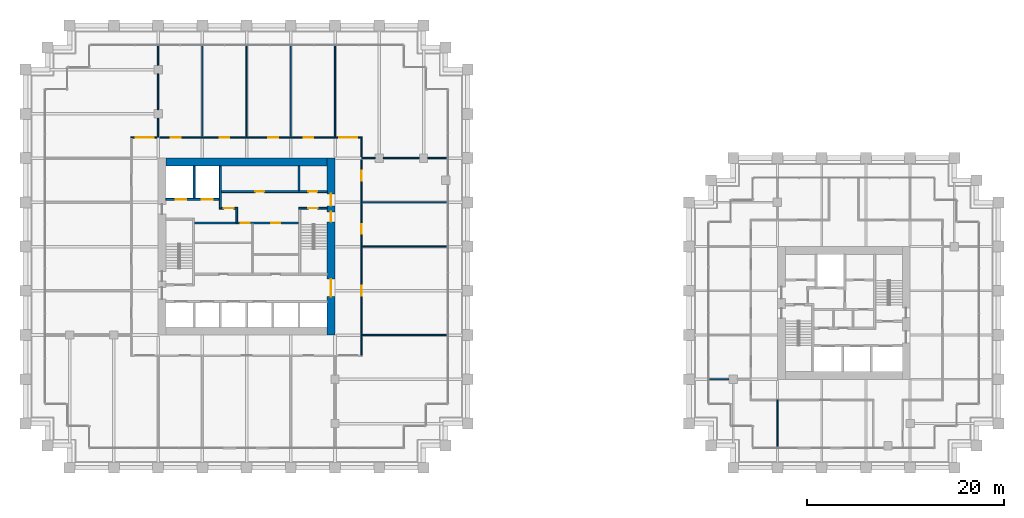
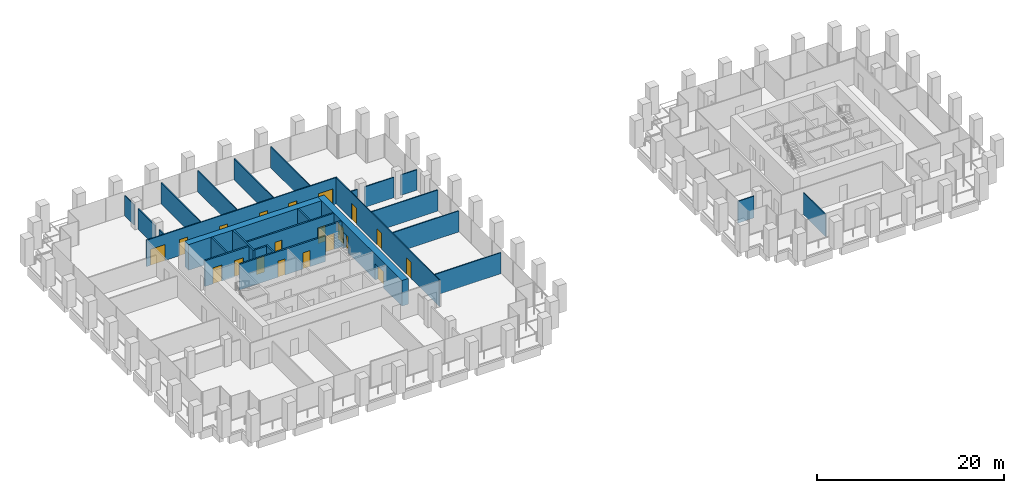
# One storey, part 51 of 56: 28 walls, 20 doors, 20 openings.
"""IFC4 building model written with IfcOpenShell, lengths in metres."""

from ifc_helpers import new_model, si_unit, direction, frame, frame_2d, origin, place, context, subcontext, project, spatial, rectangle, extrude, material, layer, layer_set, type_object, element, fill, save


model = new_model("IFC4")

# Units and contexts
model_context = context("Model", 3, precision=1e-05, world=origin(), true_north=direction((0.0, 1.0)))
body_context = subcontext(model_context, "Body", "Model", "MODEL_VIEW")
ifc_project = project(units=[si_unit("LENGTHUNIT", "METRE"), si_unit("AREAUNIT", "SQUARE_METRE"), si_unit("VOLUMEUNIT", "CUBIC_METRE"), si_unit("PLANEANGLEUNIT", "RADIAN"), si_unit("MASSUNIT", "GRAM", prefix="KILO")], contexts=[model_context])

# Site, building, storey
site_placement = place(None, origin())
site = spatial("IfcSite", under=ifc_project, at=site_placement, CompositionType="ELEMENT")
building_placement = place(site_placement, origin())
building = spatial("IfcBuilding", under=site, at=building_placement, Name="Altepetl Exchange Towers", CompositionType="ELEMENT")
storey_placement = place(building_placement, frame((0.0, 0.0, 54.60009765625)))
storey = spatial("IfcBuildingStorey", under=building, at=storey_placement, Name="L12", CompositionType="ELEMENT", Elevation=54.60009765625)

# Wall, openings, doors
ifc_material_1 = material(Name="Concrete C70/85", Category="concrete")
ifc_layer_1 = layer(ifc_material_1, 0.800048828125)
ifc_layer_set_1 = layer_set([ifc_layer_1], Name="Concrete C70/85")
wall_type_1 = type_object("IfcWallType", Name="Core wall 800 reinforced concrete", PredefinedType="SHEAR", material=ifc_layer_set_1)
wall_1_placement = place(storey_placement, frame((58.10009765625, 40.5, 0.0), z_axis=(0.0, 0.0, 1.0), x_axis=(0.0, 1.0, 0.0)))
wall_1 = element("IfcWall", 1, at=wall_1_placement, inside=storey, type_object=wall_type_1, Name="wall:A:L12:K-coreE", PredefinedType="SHEAR", context=body_context, shape_type="SweptSolid", body=[
    extrude(rectangle(XDim=18.0, YDim=0.800048828125, at=frame_2d((9.0, 0.0))), origin(), (0.0, 0.0, 1.0), 3.349853515625),
])
opening_1_placement = place(wall_1_placement, frame((13.14990234375, 0.0, 0.0)))
opening_1 = element("IfcOpeningElement", 2, at=opening_1_placement, cuts=wall_1, Name="Opening L12.A60", PredefinedType="OPENING", context=body_context, shape_type="SweptSolid", body=[
    extrude(rectangle(XDim=1.199951171875, YDim=2.10009765625, at=frame_2d((0.60009765625, 1.050048828125))), frame((0.0, 0.41015625, 0.0), z_axis=(0.0, -1.0, 0.0), x_axis=(1.0, 0.0, 0.0)), (0.0, 0.0, 1.0), 0.820068359375),
])
opening_2_placement = place(wall_1_placement, frame((3.89990234375, 0.0, 0.0)))
opening_2 = element("IfcOpeningElement", 3, at=opening_2_placement, cuts=wall_1, Name="Opening L12.A61", PredefinedType="OPENING", context=body_context, shape_type="SweptSolid", body=[
    extrude(rectangle(XDim=1.800048828125, YDim=2.10009765625, at=frame_2d((0.89990234375, 1.050048828125))), frame((0.0, 0.41015625, 0.0), z_axis=(0.0, -1.0, 0.0), x_axis=(1.0, 0.0, 0.0)), (0.0, 0.0, 1.0), 0.820068359375),
])
opening_3_placement = place(wall_1_placement, frame((11.52490234375, 0.0, 0.0)))
opening_3 = element("IfcOpeningElement", 4, at=opening_3_placement, cuts=wall_1, Name="Opening L12.A66", PredefinedType="OPENING", context=body_context, shape_type="SweptSolid", body=[
    extrude(rectangle(XDim=1.0, YDim=2.10009765625, at=frame_2d((0.5, 1.050048828125))), frame((0.0, 0.41015625, 0.0), z_axis=(0.0, -1.0, 0.0), x_axis=(1.0, 0.0, 0.0)), (0.0, 0.0, 1.0), 0.820068359375),
])
ifc_material_2 = material(Name="Steel and timber fire door", Category="steel")
door_type_1 = type_object("IfcDoorType", Name="Fire door 1000 x 2100 stair and lobby", OperationType="SINGLE_SWING_LEFT", PredefinedType="DOOR", material=ifc_material_2)
door_1_placement = place(opening_3_placement, origin())
door_1 = element("IfcDoor", 5, at=door_1_placement, inside=storey, type_object=door_type_1, Name="door:A:L12:K-dS2x", OperationType="SINGLE_SWING_RIGHT", OverallHeight=2.10009765625, OverallWidth=1.0, PredefinedType="DOOR", context=body_context, shape_type="SweptSolid", body=[
    extrude(rectangle(XDim=1.0, YDim=2.10009765625, at=frame_2d((0.5, 1.050048828125))), frame((0.0, 0.02490234375, 0.0), z_axis=(0.0, -1.0, 0.0), x_axis=(1.0, 0.0, 0.0)), (0.0, 0.0, 1.0), 0.050048828125),
])
fill(opening_3, door_1)
door_type_2 = type_object("IfcDoorType", Name="Fire door 1200 x 2100 lobby entry", OperationType="SINGLE_SWING_LEFT", PredefinedType="DOOR", material=ifc_material_2)
door_2_placement = place(opening_1_placement, origin())
door_2 = element("IfcDoor", 6, at=door_2_placement, inside=storey, type_object=door_type_2, Name="door:A:L12:K-dLNE", OperationType="SINGLE_SWING_RIGHT", OverallHeight=2.10009765625, OverallWidth=1.199951171875, PredefinedType="DOOR", context=body_context, shape_type="SweptSolid", body=[
    extrude(rectangle(XDim=1.199951171875, YDim=2.10009765625, at=frame_2d((0.60009765625, 1.050048828125))), frame((0.0, 0.02490234375, 0.0), z_axis=(0.0, -1.0, 0.0), x_axis=(1.0, 0.0, 0.0)), (0.0, 0.0, 1.0), 0.050048828125),
])
fill(opening_1, door_2)
door_type_3 = type_object("IfcDoorType", Name="Fire door 1800 x 2100 lobby entry", OperationType="DOUBLE_DOOR_SINGLE_SWING", PredefinedType="DOOR", material=ifc_material_2)
door_3_placement = place(opening_2_placement, origin())
door_3 = element("IfcDoor", 7, at=door_3_placement, inside=storey, type_object=door_type_3, Name="door:A:L12:K-dLSE", OperationType="DOUBLE_DOOR_SINGLE_SWING", OverallHeight=2.10009765625, OverallWidth=1.800048828125, PredefinedType="DOOR", context=body_context, shape_type="SweptSolid", body=[
    extrude(rectangle(XDim=1.800048828125, YDim=2.10009765625, at=frame_2d((0.89990234375, 1.050048828125))), frame((0.0, 0.02490234375, 0.0), z_axis=(0.0, -1.0, 0.0), x_axis=(1.0, 0.0, 0.0)), (0.0, 0.0, 1.0), 0.050048828125),
])
fill(opening_2, door_3)

# Walls
wall_2_placement = place(storey_placement, frame((41.300048828125, 58.10009765625, 0.0)))
element("IfcWall", 8, at=wall_2_placement, inside=storey, type_object=wall_type_1, Name="wall:A:L12:K-coreN", PredefinedType="SHEAR", context=body_context, shape_type="SweptSolid", body=[
    extrude(rectangle(XDim=16.39990234375, YDim=0.800048828125, at=frame_2d((8.199951171875, 0.0))), origin(), (0.0, 0.0, 1.0), 3.349853515625),
])
ifc_material_3 = material(Name="Concrete blockwork", Category="masonry")
ifc_layer_2 = layer(ifc_material_3, 0.199951171875)
ifc_layer_set_2 = layer_set([ifc_layer_2], Name="Concrete blockwork")
wall_type_2 = type_object("IfcWallType", Name="Lobby wall 200 blockwork", PredefinedType="PARTITIONING", material=ifc_layer_set_2)
wall_3_placement = place(storey_placement, frame((48.5, 51.89990234375, 0.0), z_axis=(0.0, 0.0, 1.0), x_axis=(0.0, 1.0, 0.0)))
element("IfcWall", 9, at=wall_3_placement, inside=storey, type_object=wall_type_2, Name="wall:A:L12:K-ffE", PredefinedType="PARTITIONING", context=body_context, shape_type="SweptSolid", body=[
    extrude(rectangle(XDim=1.60009765625, YDim=0.199951171875, at=frame_2d((0.800048828125, 0.0))), origin(), (0.0, 0.0, 1.0), 3.349853515625),
])

# Wall, opening, door
wall_4_placement = place(storey_placement, frame((46.933349609375, 53.39990234375, 0.0)))
wall_4 = element("IfcWall", 10, at=wall_4_placement, inside=storey, type_object=wall_type_2, Name="wall:A:L12:K-ffN", PredefinedType="PARTITIONING", context=body_context, shape_type="SweptSolid", body=[
    extrude(rectangle(XDim=1.466552734375, YDim=0.199951171875, at=frame_2d((0.7333984375, 0.0))), origin(), (0.0, 0.0, 1.0), 3.349853515625),
])
opening_4_placement = place(wall_4_placement, frame((0.2666015625, 0.0, 0.0)))
opening_4 = element("IfcOpeningElement", 11, at=opening_4_placement, cuts=wall_4, Name="Opening L12.A67", PredefinedType="OPENING", context=body_context, shape_type="SweptSolid", body=[
    extrude(rectangle(XDim=1.0, YDim=2.10009765625, at=frame_2d((0.5, 1.050048828125))), frame((0.0, 0.10986328125, 0.0), z_axis=(0.0, -1.0, 0.0), x_axis=(1.0, 0.0, 0.0)), (0.0, 0.0, 1.0), 0.219970703125),
])
door_4_placement = place(opening_4_placement, frame((1.0, 0.0, 0.0), x_axis=(-1.0, 0.0, 0.0)))
door_4 = element("IfcDoor", 12, at=door_4_placement, inside=storey, type_object=door_type_1, Name="door:A:L12:K-dffN", OperationType="SINGLE_SWING_RIGHT", OverallHeight=2.10009765625, OverallWidth=1.0, PredefinedType="DOOR", context=body_context, shape_type="SweptSolid", body=[
    extrude(rectangle(XDim=1.0, YDim=2.10009765625, at=frame_2d((0.5, 1.050048828125))), frame((0.0, 0.02490234375, 0.0), z_axis=(0.0, -1.0, 0.0), x_axis=(1.0, 0.0, 0.0)), (0.0, 0.0, 1.0), 0.050048828125),
])
fill(opening_4, door_4)

# Wall, openings, doors
wall_5_placement = place(storey_placement, frame((44.199951171875, 51.89990234375, 0.0)))
wall_5 = element("IfcWall", 13, at=wall_5_placement, inside=storey, type_object=wall_type_2, Name="wall:A:L12:K-zoneN", PredefinedType="PARTITIONING", context=body_context, shape_type="SweptSolid", body=[
    extrude(rectangle(XDim=10.60009765625, YDim=0.199951171875, at=frame_2d((5.300048828125, 0.0))), origin(), (0.0, 0.0, 1.0), 3.349853515625),
])
opening_5_placement = place(wall_5_placement, frame((4.72509765625, 0.0, 0.0)))
opening_5 = element("IfcOpeningElement", 14, at=opening_5_placement, cuts=wall_5, Name="Opening L12.A72", PredefinedType="OPENING", context=body_context, shape_type="SweptSolid", body=[
    extrude(rectangle(XDim=0.89990234375, YDim=2.10009765625, at=frame_2d((0.449951171875, 1.050048828125))), frame((0.0, 0.10986328125, 0.0), z_axis=(0.0, -1.0, 0.0), x_axis=(1.0, 0.0, 0.0)), (0.0, 0.0, 1.0), 0.219970703125),
])
opening_6_placement = place(wall_5_placement, frame((7.800048828125, 0.0, 0.0)))
opening_6 = element("IfcOpeningElement", 15, at=opening_6_placement, cuts=wall_5, Name="Opening L12.A74", PredefinedType="OPENING", context=body_context, shape_type="SweptSolid", body=[
    extrude(rectangle(XDim=0.89990234375, YDim=2.10009765625, at=frame_2d((0.449951171875, 1.050048828125))), frame((0.0, 0.10986328125, 0.0), z_axis=(0.0, -1.0, 0.0), x_axis=(1.0, 0.0, 0.0)), (0.0, 0.0, 1.0), 0.219970703125),
])
door_type_4 = type_object("IfcDoorType", Name="Fire door 900 x 2100 service room", OperationType="SINGLE_SWING_LEFT", PredefinedType="DOOR", material=ifc_material_2)
door_5_placement = place(opening_5_placement, frame((0.89990234375, 0.0, 0.0), x_axis=(-1.0, 0.0, 0.0)))
door_5 = element("IfcDoor", 16, at=door_5_placement, inside=storey, type_object=door_type_4, Name="door:A:L12:K-dz2", OperationType="SINGLE_SWING_RIGHT", OverallHeight=2.10009765625, OverallWidth=0.89990234375, PredefinedType="DOOR", context=body_context, shape_type="SweptSolid", body=[
    extrude(rectangle(XDim=0.89990234375, YDim=2.10009765625, at=frame_2d((0.449951171875, 1.050048828125))), frame((0.0, 0.02490234375, 0.0), z_axis=(0.0, -1.0, 0.0), x_axis=(1.0, 0.0, 0.0)), (0.0, 0.0, 1.0), 0.050048828125),
])
fill(opening_5, door_5)
door_6_placement = place(opening_6_placement, frame((0.89990234375, 0.0, 0.0), x_axis=(-1.0, 0.0, 0.0)))
door_6 = element("IfcDoor", 17, at=door_6_placement, inside=storey, type_object=door_type_4, Name="door:A:L12:K-dz4", OperationType="SINGLE_SWING_LEFT", OverallHeight=2.10009765625, OverallWidth=0.89990234375, PredefinedType="DOOR", context=body_context, shape_type="SweptSolid", body=[
    extrude(rectangle(XDim=0.89990234375, YDim=2.10009765625, at=frame_2d((0.449951171875, 1.050048828125))), frame((0.0, 0.02490234375, 0.0), z_axis=(0.0, -1.0, 0.0), x_axis=(1.0, 0.0, 0.0)), (0.0, 0.0, 1.0), 0.050048828125),
])
fill(opening_6, door_6)

# Walls
ifc_material_4 = material(Name="Gypsum board on steel studs", Category="steel")
ifc_layer_3 = layer(ifc_material_4, 0.125)
ifc_layer_set_3 = layer_set([ifc_layer_3], Name="Gypsum board on steel studs")
wall_type_3 = type_object("IfcWallType", Name="Partition 125 gypsum board on steel studs", PredefinedType="PARTITIONING", material=ifc_layer_set_3)
for number, where, name in (
    (18, (61.199951171875, 40.5, 0.0), "wall:A:L12:P05"),
    (19, (61.199951171875, 49.5, 0.0), "wall:A:L12:P07"),
    (20, (61.199951171875, 54.0, 0.0), "wall:A:L12:P09"),
):
    element("IfcWall", number, at=place(storey_placement, frame(where)), inside=storey, type_object=wall_type_3, Name=name, PredefinedType="PARTITIONING", context=body_context, shape_type="SweptSolid", body=[
        extrude(rectangle(XDim=8.699951171875, YDim=0.125, at=frame_2d((4.35009765625, 0.0))), origin(), (0.0, 0.0, 1.0), 2.765869140625),
    ])
wall_6_placement = place(storey_placement, frame((61.199951171875, 58.5, 0.0)))
element("IfcWall", 21, at=wall_6_placement, inside=storey, type_object=wall_type_3, Name="wall:A:L12:P11", PredefinedType="PARTITIONING", context=body_context, shape_type="SweptSolid", body=[
    extrude(rectangle(XDim=1.375, YDim=0.125, at=frame_2d((0.6875, 0.0))), origin(), (0.0, 0.0, 1.0), 2.67578125),
])
wall_7_placement = place(storey_placement, frame((63.425048828125, 58.5, 0.0)))
element("IfcWall", 22, at=wall_7_placement, inside=storey, type_object=wall_type_3, Name="wall:A:L12:P12", PredefinedType="PARTITIONING", context=body_context, shape_type="SweptSolid", body=[
    extrude(rectangle(XDim=3.64990234375, YDim=0.125, at=frame_2d((1.824951171875, 0.0))), origin(), (0.0, 0.0, 1.0), 2.67578125),
])
wall_8_placement = place(storey_placement, frame((67.925048828125, 58.5, 0.0)))
element("IfcWall", 23, at=wall_8_placement, inside=storey, type_object=wall_type_3, Name="wall:A:L12:P13", PredefinedType="PARTITIONING", context=body_context, shape_type="SweptSolid", body=[
    extrude(rectangle(XDim=1.974853515625, YDim=0.125, at=frame_2d((0.9873046875, 0.0))), origin(), (0.0, 0.0, 1.0), 2.67578125),
])

# Wall, openings, doors
wall_9_placement = place(storey_placement, frame((37.737548828125, 60.60009765625, 0.0)))
wall_9 = element("IfcWall", 24, at=wall_9_placement, inside=storey, type_object=wall_type_3, Name="wall:A:L12:P14", PredefinedType="PARTITIONING", context=body_context, shape_type="SweptSolid", body=[
    extrude(rectangle(XDim=23.52490234375, YDim=0.125, at=frame_2d((11.762451171875, 0.0))), origin(), (0.0, 0.0, 1.0), 3.449951171875),
])
opening_7_placement = place(wall_9_placement, frame((21.21240234375, 0.0, 0.0)))
opening_7 = element("IfcOpeningElement", 25, at=opening_7_placement, cuts=wall_9, Name="Opening L12.A10", PredefinedType="OPENING", context=body_context, shape_type="SweptSolid", body=[
    extrude(rectangle(XDim=1.800048828125, YDim=2.10009765625, at=frame_2d((0.89990234375, 1.050048828125))), frame((0.0, 0.072509765625, 0.0), z_axis=(0.0, -1.0, 0.0), x_axis=(1.0, 0.0, 0.0)), (0.0, 0.0, 1.0), 0.14501953125),
])
opening_8_placement = place(wall_9_placement, frame((17.5576171875, 0.0, 0.0)))
opening_8 = element("IfcOpeningElement", 26, at=opening_8_placement, cuts=wall_9, Name="Opening L12.A11", PredefinedType="OPENING", context=body_context, shape_type="SweptSolid", body=[
    extrude(rectangle(XDim=1.0, YDim=2.10009765625, at=frame_2d((0.5, 1.050048828125))), frame((0.0, 0.072509765625, 0.0), z_axis=(0.0, -1.0, 0.0), x_axis=(1.0, 0.0, 0.0)), (0.0, 0.0, 1.0), 0.14501953125),
])
opening_9_placement = place(wall_9_placement, frame((13.967529296875, 0.0, 0.0)))
opening_9 = element("IfcOpeningElement", 27, at=opening_9_placement, cuts=wall_9, Name="Opening L12.A12", PredefinedType="OPENING", context=body_context, shape_type="SweptSolid", body=[
    extrude(rectangle(XDim=1.0, YDim=2.10009765625, at=frame_2d((0.5, 1.050048828125))), frame((0.0, 0.072509765625, 0.0), z_axis=(0.0, -1.0, 0.0), x_axis=(1.0, 0.0, 0.0)), (0.0, 0.0, 1.0), 0.14501953125),
])
opening_10_placement = place(wall_9_placement, frame((9.012451171875, 0.0, 0.0)))
opening_10 = element("IfcOpeningElement", 28, at=opening_10_placement, cuts=wall_9, Name="Opening L12.A13", PredefinedType="OPENING", context=body_context, shape_type="SweptSolid", body=[
    extrude(rectangle(XDim=1.0, YDim=2.10009765625, at=frame_2d((0.5, 1.050048828125))), frame((0.0, 0.072509765625, 0.0), z_axis=(0.0, -1.0, 0.0), x_axis=(1.0, 0.0, 0.0)), (0.0, 0.0, 1.0), 0.14501953125),
])
opening_11_placement = place(wall_9_placement, frame((4.0576171875, 0.0, 0.0)))
opening_11 = element("IfcOpeningElement", 29, at=opening_11_placement, cuts=wall_9, Name="Opening L12.A14", PredefinedType="OPENING", context=body_context, shape_type="SweptSolid", body=[
    extrude(rectangle(XDim=1.0, YDim=2.10009765625, at=frame_2d((0.5, 1.050048828125))), frame((0.0, 0.072509765625, 0.0), z_axis=(0.0, -1.0, 0.0), x_axis=(1.0, 0.0, 0.0)), (0.0, 0.0, 1.0), 0.14501953125),
])
opening_12_placement = place(wall_9_placement, frame((0.512451171875, 0.0, 0.0)))
opening_12 = element("IfcOpeningElement", 30, at=opening_12_placement, cuts=wall_9, Name="Opening L12.A15", PredefinedType="OPENING", context=body_context, shape_type="SweptSolid", body=[
    extrude(rectangle(XDim=1.800048828125, YDim=2.10009765625, at=frame_2d((0.89990234375, 1.050048828125))), frame((0.0, 0.072509765625, 0.0), z_axis=(0.0, -1.0, 0.0), x_axis=(1.0, 0.0, 0.0)), (0.0, 0.0, 1.0), 0.14501953125),
])
door_type_5 = type_object("IfcDoorType", Name="Fire door 1000 x 2100 single leaf", OperationType="SINGLE_SWING_LEFT", PredefinedType="DOOR", material=ifc_material_2)
door_7_placement = place(opening_8_placement, origin())
door_7 = element("IfcDoor", 31, at=door_7_placement, inside=storey, type_object=door_type_5, Name="door:A:L12:11", OperationType="SINGLE_SWING_RIGHT", OverallHeight=2.10009765625, OverallWidth=1.0, PredefinedType="DOOR", context=body_context, shape_type="SweptSolid", body=[
    extrude(rectangle(XDim=1.0, YDim=2.10009765625, at=frame_2d((0.5, 1.050048828125))), frame((0.0, 0.02490234375, 0.0), z_axis=(0.0, -1.0, 0.0), x_axis=(1.0, 0.0, 0.0)), (0.0, 0.0, 1.0), 0.050048828125),
])
fill(opening_8, door_7)
door_8_placement = place(opening_9_placement, origin())
door_8 = element("IfcDoor", 32, at=door_8_placement, inside=storey, type_object=door_type_5, Name="door:A:L12:12", OperationType="SINGLE_SWING_LEFT", OverallHeight=2.10009765625, OverallWidth=1.0, PredefinedType="DOOR", context=body_context, shape_type="SweptSolid", body=[
    extrude(rectangle(XDim=1.0, YDim=2.10009765625, at=frame_2d((0.5, 1.050048828125))), frame((0.0, 0.02490234375, 0.0), z_axis=(0.0, -1.0, 0.0), x_axis=(1.0, 0.0, 0.0)), (0.0, 0.0, 1.0), 0.050048828125),
])
fill(opening_9, door_8)
door_9_placement = place(opening_10_placement, origin())
door_9 = element("IfcDoor", 33, at=door_9_placement, inside=storey, type_object=door_type_5, Name="door:A:L12:13", OperationType="SINGLE_SWING_RIGHT", OverallHeight=2.10009765625, OverallWidth=1.0, PredefinedType="DOOR", context=body_context, shape_type="SweptSolid", body=[
    extrude(rectangle(XDim=1.0, YDim=2.10009765625, at=frame_2d((0.5, 1.050048828125))), frame((0.0, 0.02490234375, 0.0), z_axis=(0.0, -1.0, 0.0), x_axis=(1.0, 0.0, 0.0)), (0.0, 0.0, 1.0), 0.050048828125),
])
fill(opening_10, door_9)
door_10_placement = place(opening_11_placement, origin())
door_10 = element("IfcDoor", 34, at=door_10_placement, inside=storey, type_object=door_type_5, Name="door:A:L12:14", OperationType="SINGLE_SWING_LEFT", OverallHeight=2.10009765625, OverallWidth=1.0, PredefinedType="DOOR", context=body_context, shape_type="SweptSolid", body=[
    extrude(rectangle(XDim=1.0, YDim=2.10009765625, at=frame_2d((0.5, 1.050048828125))), frame((0.0, 0.02490234375, 0.0), z_axis=(0.0, -1.0, 0.0), x_axis=(1.0, 0.0, 0.0)), (0.0, 0.0, 1.0), 0.050048828125),
])
fill(opening_11, door_10)
door_type_6 = type_object("IfcDoorType", Name="Fire door 1800 x 2100 double leaf", OperationType="DOUBLE_DOOR_SINGLE_SWING", PredefinedType="DOOR", material=ifc_material_2)
door_11_placement = place(opening_7_placement, origin())
door_11 = element("IfcDoor", 35, at=door_11_placement, inside=storey, type_object=door_type_6, Name="door:A:L12:10", OperationType="DOUBLE_DOOR_SINGLE_SWING", OverallHeight=2.10009765625, OverallWidth=1.800048828125, PredefinedType="DOOR", context=body_context, shape_type="SweptSolid", body=[
    extrude(rectangle(XDim=1.800048828125, YDim=2.10009765625, at=frame_2d((0.89990234375, 1.050048828125))), frame((0.0, 0.02490234375, 0.0), z_axis=(0.0, -1.0, 0.0), x_axis=(1.0, 0.0, 0.0)), (0.0, 0.0, 1.0), 0.050048828125),
])
fill(opening_7, door_11)
door_12_placement = place(opening_12_placement, origin())
door_12 = element("IfcDoor", 36, at=door_12_placement, inside=storey, type_object=door_type_6, Name="door:A:L12:15", OperationType="DOUBLE_DOOR_SINGLE_SWING", OverallHeight=2.10009765625, OverallWidth=1.800048828125, PredefinedType="DOOR", context=body_context, shape_type="SweptSolid", body=[
    extrude(rectangle(XDim=1.800048828125, YDim=2.10009765625, at=frame_2d((0.89990234375, 1.050048828125))), frame((0.0, 0.02490234375, 0.0), z_axis=(0.0, -1.0, 0.0), x_axis=(1.0, 0.0, 0.0)), (0.0, 0.0, 1.0), 0.050048828125),
])
fill(opening_12, door_12)

# Walls
wall_10_placement = place(storey_placement, frame((40.5, 60.60009765625, 0.0), z_axis=(0.0, 0.0, 1.0), x_axis=(0.0, 1.0, 0.0)))
element("IfcWall", 37, at=wall_10_placement, inside=storey, type_object=wall_type_3, Name="wall:A:L12:P17", PredefinedType="PARTITIONING", context=body_context, shape_type="SweptSolid", body=[
    extrude(rectangle(XDim=1.974853515625, YDim=0.125, at=frame_2d((0.9873046875, 0.0))), origin(), (0.0, 0.0, 1.0), 2.67578125),
])
wall_11_placement = place(storey_placement, frame((40.5, 63.425048828125, 0.0), z_axis=(0.0, 0.0, 1.0), x_axis=(0.0, 1.0, 0.0)))
element("IfcWall", 38, at=wall_11_placement, inside=storey, type_object=wall_type_3, Name="wall:A:L12:P18", PredefinedType="PARTITIONING", context=body_context, shape_type="SweptSolid", body=[
    extrude(rectangle(XDim=3.64990234375, YDim=0.125, at=frame_2d((1.824951171875, 0.0))), origin(), (0.0, 0.0, 1.0), 2.67578125),
])
wall_12_placement = place(storey_placement, frame((40.5, 67.925048828125, 0.0), z_axis=(0.0, 0.0, 1.0), x_axis=(0.0, 1.0, 0.0)))
element("IfcWall", 39, at=wall_12_placement, inside=storey, type_object=wall_type_3, Name="wall:A:L12:P19", PredefinedType="PARTITIONING", context=body_context, shape_type="SweptSolid", body=[
    extrude(rectangle(XDim=1.974853515625, YDim=0.125, at=frame_2d((0.9873046875, 0.0))), origin(), (0.0, 0.0, 1.0), 2.67578125),
])
for number, where, z_axis, x_axis, name in (
    (40, (45.0, 60.60009765625, 0.0), (0.0, 0.0, 1.0), (0.0, 1.0, 0.0), "wall:A:L12:P21"),
    (41, (49.5, 60.60009765625, 0.0), (0.0, 0.0, 1.0), (0.0, 1.0, 0.0), "wall:A:L12:P22"),
    (42, (54.0, 60.60009765625, 0.0), (0.0, 0.0, 1.0), (0.0, 1.0, 0.0), "wall:A:L12:P24"),
    (43, (58.5, 60.60009765625, 0.0), (0.0, 0.0, 1.0), (0.0, 1.0, 0.0), "wall:A:L12:P28"),
):
    element("IfcWall", number, at=place(storey_placement, frame(where, z_axis=z_axis, x_axis=x_axis)), inside=storey, type_object=wall_type_3, Name=name, PredefinedType="PARTITIONING", context=body_context, shape_type="SweptSolid", body=[
        extrude(rectangle(XDim=9.2998046875, YDim=0.125, at=frame_2d((4.64990234375, 0.0))), origin(), (0.0, 0.0, 1.0), 2.765869140625),
    ])

# Wall, openings, doors
wall_13_placement = place(storey_placement, frame((61.199951171875, 38.46240234375, 0.0), z_axis=(0.0, 0.0, 1.0), x_axis=(0.0, 1.0, 0.0)))
wall_13 = element("IfcWall", 44, at=wall_13_placement, inside=storey, type_object=wall_type_3, Name="wall:A:L12:P29", PredefinedType="PARTITIONING", context=body_context, shape_type="SweptSolid", body=[
    extrude(rectangle(XDim=22.0751953125, YDim=0.125, at=frame_2d((11.03759765625, 0.0))), origin(), (0.0, 0.0, 1.0), 3.449951171875),
])
opening_13_placement = place(wall_13_placement, frame((6.03759765625, 0.0, 0.0)))
opening_13 = element("IfcOpeningElement", 45, at=opening_13_placement, cuts=wall_13, Name="Opening L12.A07", PredefinedType="OPENING", context=body_context, shape_type="SweptSolid", body=[
    extrude(rectangle(XDim=1.0, YDim=2.10009765625, at=frame_2d((0.5, 1.050048828125))), frame((0.0, 0.072509765625, 0.0), z_axis=(0.0, -1.0, 0.0), x_axis=(1.0, 0.0, 0.0)), (0.0, 0.0, 1.0), 0.14501953125),
])
opening_14_placement = place(wall_13_placement, frame((12.33251953125, 0.0, 0.0)))
opening_14 = element("IfcOpeningElement", 46, at=opening_14_placement, cuts=wall_13, Name="Opening L12.A08", PredefinedType="OPENING", context=body_context, shape_type="SweptSolid", body=[
    extrude(rectangle(XDim=1.0, YDim=2.10009765625, at=frame_2d((0.5, 1.050048828125))), frame((0.0, 0.072509765625, 0.0), z_axis=(0.0, -1.0, 0.0), x_axis=(1.0, 0.0, 0.0)), (0.0, 0.0, 1.0), 0.14501953125),
])
opening_15_placement = place(wall_13_placement, frame((17.742431640625, 0.0, 0.0)))
opening_15 = element("IfcOpeningElement", 47, at=opening_15_placement, cuts=wall_13, Name="Opening L12.A09", PredefinedType="OPENING", context=body_context, shape_type="SweptSolid", body=[
    extrude(rectangle(XDim=1.0, YDim=2.10009765625, at=frame_2d((0.5, 1.050048828125))), frame((0.0, 0.072509765625, 0.0), z_axis=(0.0, -1.0, 0.0), x_axis=(1.0, 0.0, 0.0)), (0.0, 0.0, 1.0), 0.14501953125),
])
door_13_placement = place(opening_13_placement, frame((1.0, 0.0, 0.0), x_axis=(-1.0, 0.0, 0.0)))
door_13 = element("IfcDoor", 48, at=door_13_placement, inside=storey, type_object=door_type_5, Name="door:A:L12:07", OperationType="SINGLE_SWING_RIGHT", OverallHeight=2.10009765625, OverallWidth=1.0, PredefinedType="DOOR", context=body_context, shape_type="SweptSolid", body=[
    extrude(rectangle(XDim=1.0, YDim=2.10009765625, at=frame_2d((0.5, 1.050048828125))), frame((0.0, 0.02490234375, 0.0), z_axis=(0.0, -1.0, 0.0), x_axis=(1.0, 0.0, 0.0)), (0.0, 0.0, 1.0), 0.050048828125),
])
fill(opening_13, door_13)
door_14_placement = place(opening_14_placement, frame((1.0, 0.0, 0.0), x_axis=(-1.0, 0.0, 0.0)))
door_14 = element("IfcDoor", 49, at=door_14_placement, inside=storey, type_object=door_type_5, Name="door:A:L12:08", OperationType="SINGLE_SWING_RIGHT", OverallHeight=2.10009765625, OverallWidth=1.0, PredefinedType="DOOR", context=body_context, shape_type="SweptSolid", body=[
    extrude(rectangle(XDim=1.0, YDim=2.10009765625, at=frame_2d((0.5, 1.050048828125))), frame((0.0, 0.02490234375, 0.0), z_axis=(0.0, -1.0, 0.0), x_axis=(1.0, 0.0, 0.0)), (0.0, 0.0, 1.0), 0.050048828125),
])
fill(opening_14, door_14)
door_15_placement = place(opening_15_placement, frame((1.0, 0.0, 0.0), x_axis=(-1.0, 0.0, 0.0)))
door_15 = element("IfcDoor", 50, at=door_15_placement, inside=storey, type_object=door_type_5, Name="door:A:L12:09", OperationType="SINGLE_SWING_LEFT", OverallHeight=2.10009765625, OverallWidth=1.0, PredefinedType="DOOR", context=body_context, shape_type="SweptSolid", body=[
    extrude(rectangle(XDim=1.0, YDim=2.10009765625, at=frame_2d((0.5, 1.050048828125))), frame((0.0, 0.02490234375, 0.0), z_axis=(0.0, -1.0, 0.0), x_axis=(1.0, 0.0, 0.0)), (0.0, 0.0, 1.0), 0.050048828125),
])
fill(opening_15, door_15)

# Walls
wall_14_placement = place(storey_placement, frame((96.60009765625, 36.0, 0.0)))
element("IfcWall", 51, at=wall_14_placement, inside=storey, type_object=wall_type_3, Name="wall:B:L12:P03", PredefinedType="PARTITIONING", context=body_context, shape_type="SweptSolid", body=[
    extrude(rectangle(XDim=1.974853515625, YDim=0.125, at=frame_2d((0.9873046875, 0.0))), origin(), (0.0, 0.0, 1.0), 2.841796875),
])
wall_15_placement = place(storey_placement, frame((103.5, 29.10009765625, 0.0), z_axis=(0.0, 0.0, 1.0), x_axis=(0.0, 1.0, 0.0)))
element("IfcWall", 52, at=wall_15_placement, inside=storey, type_object=wall_type_3, Name="wall:B:L12:P15", PredefinedType="PARTITIONING", context=body_context, shape_type="SweptSolid", body=[
    extrude(rectangle(XDim=4.7998046875, YDim=0.125, at=frame_2d((2.39990234375, 0.0))), origin(), (0.0, 0.0, 1.0), 2.850830078125),
])
ifc_material_5 = material(Name="Concrete C40/50", Category="concrete")
ifc_layer_4 = layer(ifc_material_5, 0.199951171875)
ifc_layer_set_4 = layer_set([ifc_layer_4], Name="Concrete C40/50")
wall_type_4 = type_object("IfcWallType", Name="Shaft wall 200 reinforced concrete", PredefinedType="SHEAR", material=ifc_layer_set_4)
wall_16_placement = place(storey_placement, frame((44.166748046875, 57.699951171875, 0.0), z_axis=(0.0, 0.0, 1.0), x_axis=(0.0, -1.0, 0.0)))
element("IfcWall", 53, at=wall_16_placement, inside=storey, type_object=wall_type_4, Name="wall:A:L12:K-divN1", PredefinedType="SHEAR", context=body_context, shape_type="SweptSolid", body=[
    extrude(rectangle(XDim=3.300048828125, YDim=0.199951171875, at=frame_2d((1.64990234375, 0.0))), origin(), (0.0, 0.0, 1.0), 3.349853515625),
])
wall_17_placement = place(storey_placement, frame((46.833251953125, 57.699951171875, 0.0), z_axis=(0.0, 0.0, 1.0), x_axis=(0.0, -1.0, 0.0)))
element("IfcWall", 54, at=wall_17_placement, inside=storey, type_object=wall_type_4, Name="wall:A:L12:K-divN2", PredefinedType="SHEAR", context=body_context, shape_type="SweptSolid", body=[
    extrude(rectangle(XDim=4.39990234375, YDim=0.199951171875, at=frame_2d((2.199951171875, 0.0))), origin(), (0.0, 0.0, 1.0), 3.349853515625),
])
wall_18_placement = place(storey_placement, frame((54.833251953125, 57.699951171875, 0.0), z_axis=(0.0, 0.0, 1.0), x_axis=(0.0, -1.0, 0.0)))
element("IfcWall", 55, at=wall_18_placement, inside=storey, type_object=wall_type_4, Name="wall:A:L12:K-divN5", PredefinedType="SHEAR", context=body_context, shape_type="SweptSolid", body=[
    extrude(rectangle(XDim=2.5, YDim=0.199951171875, at=frame_2d((1.25, 0.0))), origin(), (0.0, 0.0, 1.0), 3.349853515625),
])

# Wall, openings, doors
wall_19_placement = place(storey_placement, frame((46.933349609375, 55.10009765625, 0.0)))
wall_19 = element("IfcWall", 56, at=wall_19_placement, inside=storey, type_object=wall_type_4, Name="wall:A:L12:K-frontNb", PredefinedType="SHEAR", context=body_context, shape_type="SweptSolid", body=[
    extrude(rectangle(XDim=10.7666015625, YDim=0.199951171875, at=frame_2d((5.38330078125, 0.0))), origin(), (0.0, 0.0, 1.0), 3.349853515625),
])
opening_16_placement = place(wall_19_placement, frame((8.83349609375, 0.0, 0.0)))
opening_16 = element("IfcOpeningElement", 57, at=opening_16_placement, cuts=wall_19, Name="Opening L12.A69", PredefinedType="OPENING", context=body_context, shape_type="SweptSolid", body=[
    extrude(rectangle(XDim=0.89990234375, YDim=2.10009765625, at=frame_2d((0.449951171875, 1.050048828125))), frame((0.0, 0.10986328125, 0.0), z_axis=(0.0, -1.0, 0.0), x_axis=(1.0, 0.0, 0.0)), (0.0, 0.0, 1.0), 0.219970703125),
])
opening_17_placement = place(wall_19_placement, frame((3.449951171875, 0.0, 0.0)))
opening_17 = element("IfcOpeningElement", 58, at=opening_17_placement, cuts=wall_19, Name="Opening L12.A70", PredefinedType="OPENING", context=body_context, shape_type="SweptSolid", body=[
    extrude(rectangle(XDim=0.89990234375, YDim=2.10009765625, at=frame_2d((0.449951171875, 1.050048828125))), frame((0.0, 0.10986328125, 0.0), z_axis=(0.0, -1.0, 0.0), x_axis=(1.0, 0.0, 0.0)), (0.0, 0.0, 1.0), 0.219970703125),
])
door_16_placement = place(opening_16_placement, origin())
door_16 = element("IfcDoor", 59, at=door_16_placement, inside=storey, type_object=door_type_4, Name="door:A:L12:K-driser", OperationType="SINGLE_SWING_RIGHT", OverallHeight=2.10009765625, OverallWidth=0.89990234375, PredefinedType="DOOR", context=body_context, shape_type="SweptSolid", body=[
    extrude(rectangle(XDim=0.89990234375, YDim=2.10009765625, at=frame_2d((0.449951171875, 1.050048828125))), frame((0.0, 0.02490234375, 0.0), z_axis=(0.0, -1.0, 0.0), x_axis=(1.0, 0.0, 0.0)), (0.0, 0.0, 1.0), 0.050048828125),
])
fill(opening_16, door_16)
door_17_placement = place(opening_17_placement, origin())
door_17 = element("IfcDoor", 60, at=door_17_placement, inside=storey, type_object=door_type_4, Name="door:A:L12:K-dslotN2", OperationType="SINGLE_SWING_RIGHT", OverallHeight=2.10009765625, OverallWidth=0.89990234375, PredefinedType="DOOR", context=body_context, shape_type="SweptSolid", body=[
    extrude(rectangle(XDim=0.89990234375, YDim=2.10009765625, at=frame_2d((0.449951171875, 1.050048828125))), frame((0.0, 0.02490234375, 0.0), z_axis=(0.0, -1.0, 0.0), x_axis=(1.0, 0.0, 0.0)), (0.0, 0.0, 1.0), 0.050048828125),
])
fill(opening_17, door_17)

wall_20_placement = place(storey_placement, frame((41.300048828125, 54.300048828125, 0.0)))
wall_20 = element("IfcWall", 61, at=wall_20_placement, inside=storey, type_object=wall_type_4, Name="wall:A:L12:K-frontNd", PredefinedType="SHEAR", context=body_context, shape_type="SweptSolid", body=[
    extrude(rectangle(XDim=5.433349609375, YDim=0.199951171875, at=frame_2d((2.716796875, 0.0))), origin(), (0.0, 0.0, 1.0), 3.349853515625),
])
opening_18_placement = place(wall_20_placement, frame((0.9833984375, 0.0, 0.0)))
opening_18 = element("IfcOpeningElement", 62, at=opening_18_placement, cuts=wall_20, Name="Opening L12.A75", PredefinedType="OPENING", context=body_context, shape_type="SweptSolid", body=[
    extrude(rectangle(XDim=1.10009765625, YDim=2.10009765625, at=frame_2d((0.550048828125, 1.050048828125))), frame((0.0, 0.10986328125, 0.0), z_axis=(0.0, -1.0, 0.0), x_axis=(1.0, 0.0, 0.0)), (0.0, 0.0, 1.0), 0.219970703125),
])
opening_19_placement = place(wall_20_placement, frame((3.64990234375, 0.0, 0.0)))
opening_19 = element("IfcOpeningElement", 63, at=opening_19_placement, cuts=wall_20, Name="Opening L12.A76", PredefinedType="OPENING", context=body_context, shape_type="SweptSolid", body=[
    extrude(rectangle(XDim=1.10009765625, YDim=2.10009765625, at=frame_2d((0.550048828125, 1.050048828125))), frame((0.0, 0.10986328125, 0.0), z_axis=(0.0, -1.0, 0.0), x_axis=(1.0, 0.0, 0.0)), (0.0, 0.0, 1.0), 0.219970703125),
])
ifc_material_6 = material(Name="Stainless steel", Category="steel")
door_type_7 = type_object("IfcDoorType", Name="Lift landing door 1100 x 2100", OperationType="SLIDING_TO_LEFT", PredefinedType="DOOR", material=ifc_material_6)
door_18_placement = place(opening_18_placement, origin())
door_18 = element("IfcDoor", 64, at=door_18_placement, inside=storey, type_object=door_type_7, Name="Landing door FFL1", OperationType="SLIDING_TO_LEFT", OverallHeight=2.10009765625, OverallWidth=1.10009765625, PredefinedType="DOOR", context=body_context, shape_type="SweptSolid", body=[
    extrude(rectangle(XDim=1.10009765625, YDim=2.10009765625, at=frame_2d((0.550048828125, 1.050048828125))), frame((0.0, 0.02490234375, 0.0), z_axis=(0.0, -1.0, 0.0), x_axis=(1.0, 0.0, 0.0)), (0.0, 0.0, 1.0), 0.050048828125),
])
fill(opening_18, door_18)
door_19_placement = place(opening_19_placement, origin())
door_19 = element("IfcDoor", 65, at=door_19_placement, inside=storey, type_object=door_type_7, Name="Landing door FFL2", OperationType="SLIDING_TO_LEFT", OverallHeight=2.10009765625, OverallWidth=1.10009765625, PredefinedType="DOOR", context=body_context, shape_type="SweptSolid", body=[
    extrude(rectangle(XDim=1.10009765625, YDim=2.10009765625, at=frame_2d((0.550048828125, 1.050048828125))), frame((0.0, 0.02490234375, 0.0), z_axis=(0.0, -1.0, 0.0), x_axis=(1.0, 0.0, 0.0)), (0.0, 0.0, 1.0), 0.050048828125),
])
fill(opening_19, door_19)

# Wall, opening, door
ifc_layer_5 = layer(ifc_material_5, 0.199951171875)
ifc_layer_set_5 = layer_set([ifc_layer_5], Name="Concrete C40/50")
wall_type_5 = type_object("IfcWallType", Name="Stair wall 200 reinforced concrete", PredefinedType="SHEAR", material=ifc_layer_set_5)
wall_21_placement = place(storey_placement, frame((54.800048828125, 53.39990234375, 0.0)))
wall_21 = element("IfcWall", 66, at=wall_21_placement, inside=storey, type_object=wall_type_5, Name="wall:A:L12:K-stS2N", PredefinedType="SHEAR", context=body_context, shape_type="SweptSolid", body=[
    extrude(rectangle(XDim=2.89990234375, YDim=0.199951171875, at=frame_2d((1.449951171875, 0.0))), origin(), (0.0, 0.0, 1.0), 3.349853515625),
])
opening_20_placement = place(wall_21_placement, frame((0.949951171875, 0.0, 0.0)))
opening_20 = element("IfcOpeningElement", 67, at=opening_20_placement, cuts=wall_21, Name="Opening L12.A65", PredefinedType="OPENING", context=body_context, shape_type="SweptSolid", body=[
    extrude(rectangle(XDim=1.0, YDim=2.10009765625, at=frame_2d((0.5, 1.050048828125))), frame((0.0, 0.10986328125, 0.0), z_axis=(0.0, -1.0, 0.0), x_axis=(1.0, 0.0, 0.0)), (0.0, 0.0, 1.0), 0.219970703125),
])
door_20_placement = place(opening_20_placement, frame((1.0, 0.0, 0.0), x_axis=(-1.0, 0.0, 0.0)))
door_20 = element("IfcDoor", 68, at=door_20_placement, inside=storey, type_object=door_type_1, Name="door:A:L12:K-dS2in", OperationType="SINGLE_SWING_LEFT", OverallHeight=2.10009765625, OverallWidth=1.0, PredefinedType="DOOR", context=body_context, shape_type="SweptSolid", body=[
    extrude(rectangle(XDim=1.0, YDim=2.10009765625, at=frame_2d((0.5, 1.050048828125))), frame((0.0, 0.02490234375, 0.0), z_axis=(0.0, -1.0, 0.0), x_axis=(1.0, 0.0, 0.0)), (0.0, 0.0, 1.0), 0.050048828125),
])
fill(opening_20, door_20)

save(model, "model.ifc")
